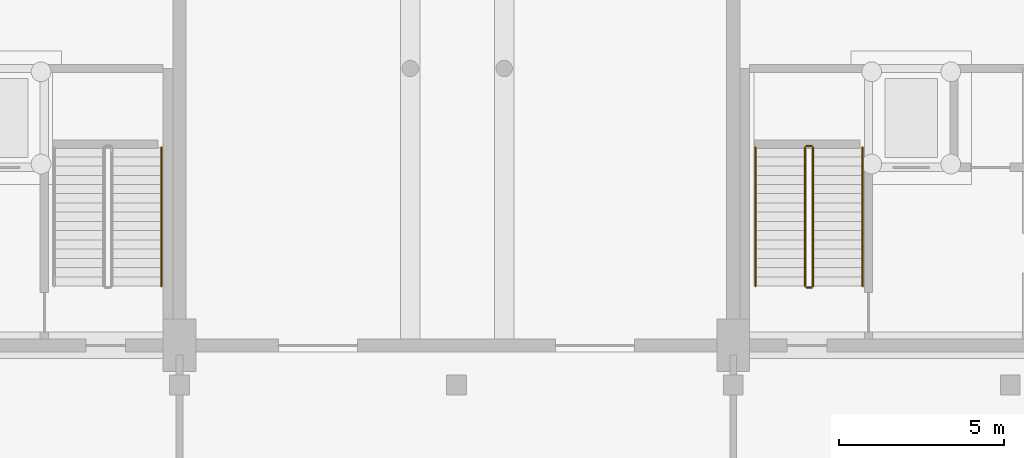
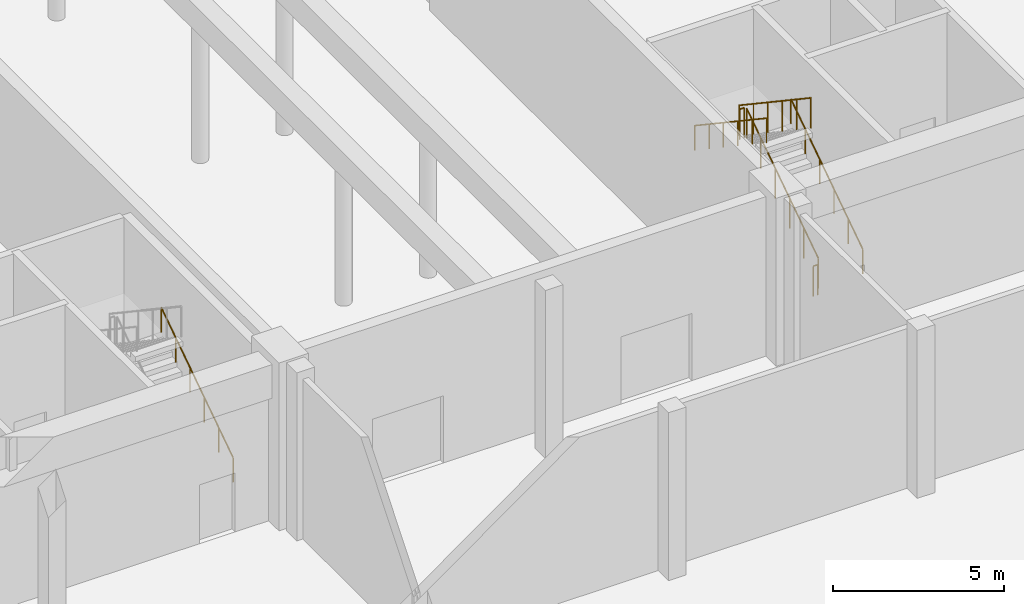
# One storey, part 190 of 210: 7 railings.
"""IFC4 building model written with IfcOpenShell, lengths in metres."""

from ifc_helpers import new_model, si_unit, direction, frame, origin, origin_2d, place, context, subcontext, project, spatial, circle, extrude, material, type_object, element, save


model = new_model("IFC4")

# Units and contexts
model_context = context("Model", 3, precision=1e-05, world=origin(), true_north=direction((0.0, 1.0)))
body_context = subcontext(model_context, "Body", "Model", "MODEL_VIEW")
ifc_project = project(units=[si_unit("LENGTHUNIT", "METRE"), si_unit("AREAUNIT", "SQUARE_METRE"), si_unit("VOLUMEUNIT", "CUBIC_METRE"), si_unit("PLANEANGLEUNIT", "RADIAN"), si_unit("MASSUNIT", "GRAM", prefix="KILO")], contexts=[model_context])

# Site, building, storey
site_placement = place(None, origin())
site = spatial("IfcSite", under=ifc_project, at=site_placement, CompositionType="ELEMENT")
building_placement = place(site_placement, origin())
building = spatial("IfcBuilding", under=site, at=building_placement, Name="Rain Tree Exposition and Congress Centre", CompositionType="ELEMENT")
storey_placement = place(building_placement, origin())
storey = spatial("IfcBuildingStorey", under=building, at=storey_placement, Name="L00", CompositionType="ELEMENT", Elevation=0.0)

# Railings
ifc_material_1 = material(Name="Steel S355J2H", Category="steel")
railing_type_1 = type_object("IfcRailingType", Name="Stair guard 1100", PredefinedType="GUARDRAIL", material=ifc_material_1)
railing_1_placement = place(storey_placement, frame((145.22509765625, 102.60009765625, 0.1875)))
element("IfcRailing", 1, at=railing_1_placement, inside=storey, type_object=railing_type_1, Name="L00 ST-H5 stair guard 1", PredefinedType="GUARDRAIL", context=body_context, shape_type="SweptSolid", body=[
    extrude(circle(Radius=0.02392578125, at=origin_2d()), frame((0.0, 0.0, 1.076171875), z_axis=(0.0, 0.830904186295, 0.556415522067), x_axis=(-1.0, 0.0, 0.0)), (0.0, 0.0, 1.0), 5.0546875),
    extrude(circle(Radius=0.02099609375, at=origin_2d()), origin(), (0.0, 0.0, 1.0), 1.052001953125),
    extrude(circle(Radius=0.02099609375, at=origin_2d()), frame((0.0, 0.840087890625, 0.5625)), (0.0, 0.0, 1.0), 1.052001953125),
    extrude(circle(Radius=0.02099609375, at=origin_2d()), frame((0.0, 1.679931640625, 1.125)), (0.0, 0.0, 1.0), 1.052001953125),
    extrude(circle(Radius=0.02099609375, at=origin_2d()), frame((0.0, 2.52001953125, 1.6875)), (0.0, 0.0, 1.0), 1.052001953125),
    extrude(circle(Radius=0.02099609375, at=origin_2d()), frame((0.0, 3.35986328125, 2.25)), (0.0, 0.0, 1.0), 1.052001953125),
    extrude(circle(Radius=0.02099609375, at=origin_2d()), frame((0.0, 4.199951171875, 2.8125)), (0.0, 0.0, 1.0), 1.052001953125),
])
railing_2_placement = place(storey_placement, frame((145.175048828125, 106.85009765625, 3.0)))
element("IfcRailing", 2, at=railing_2_placement, inside=storey, type_object=railing_type_1, Name="L00 ST-H5 stair guard 2", PredefinedType="GUARDRAIL", context=body_context, shape_type="SweptSolid", body=[
    extrude(circle(Radius=0.02392578125, at=origin_2d()), frame((0.0, 0.0, 1.076171875), z_axis=(-1.0, 0.0, 0.0), x_axis=(0.0, -1.0, 0.0)), (0.0, 0.0, 1.0), 0.150146484375),
    extrude(circle(Radius=0.02099609375, at=origin_2d()), origin(), (0.0, 0.0, 1.0), 1.052001953125),
    extrude(circle(Radius=0.02099609375, at=origin_2d()), frame((-0.150146484375, 0.0, 0.0)), (0.0, 0.0, 1.0), 1.052001953125),
])
railing_3_placement = place(storey_placement, frame((144.97509765625, 106.800048828125, 3.1875)))
element("IfcRailing", 3, at=railing_3_placement, inside=storey, type_object=railing_type_1, Name="L00 ST-H5 stair guard 3", PredefinedType="GUARDRAIL", context=body_context, shape_type="SweptSolid", body=[
    extrude(circle(Radius=0.02392578125, at=origin_2d()), frame((0.0, 0.0, 1.076171875), z_axis=(0.0, -0.830904186295, 0.556415522067), x_axis=(1.0, 0.0, 0.0)), (0.0, 0.0, 1.0), 5.0546875),
    extrude(circle(Radius=0.02099609375, at=origin_2d()), origin(), (0.0, 0.0, 1.0), 1.052001953125),
    extrude(circle(Radius=0.02099609375, at=origin_2d()), frame((0.0, -0.840087890625, 0.5625)), (0.0, 0.0, 1.0), 1.052001953125),
    extrude(circle(Radius=0.02099609375, at=origin_2d()), frame((0.0, -1.679931640625, 1.125)), (0.0, 0.0, 1.0), 1.052001953125),
    extrude(circle(Radius=0.02099609375, at=origin_2d()), frame((0.0, -2.52001953125, 1.6875)), (0.0, 0.0, 1.0), 1.052001953125),
    extrude(circle(Radius=0.02099609375, at=origin_2d()), frame((0.0, -3.35986328125, 2.25)), (0.0, 0.0, 1.0), 1.052001953125),
    extrude(circle(Radius=0.02099609375, at=origin_2d()), frame((0.0, -4.199951171875, 2.8125)), (0.0, 0.0, 1.0), 1.052001953125),
])
railing_4_placement = place(storey_placement, frame((145.175048828125, 102.550048828125, 0.0)))
element("IfcRailing", 4, at=railing_4_placement, inside=storey, type_object=railing_type_1, Name="L00 ST-H5 stair guard 4", PredefinedType="GUARDRAIL", context=body_context, shape_type="SweptSolid", body=[
    extrude(circle(Radius=0.02392578125, at=origin_2d()), frame((0.0, 0.0, 1.076171875), z_axis=(-1.0, 0.0, 0.0), x_axis=(0.0, -1.0, 0.0)), (0.0, 0.0, 1.0), 0.150146484375),
    extrude(circle(Radius=0.02099609375, at=origin_2d()), origin(), (0.0, 0.0, 1.0), 1.052001953125),
    extrude(circle(Radius=0.02099609375, at=origin_2d()), frame((-0.150146484375, 0.0, 0.0)), (0.0, 0.0, 1.0), 1.052001953125),
])
ifc_material_2 = material(Name="Steel S355J2H", Category="steel")
railing_type_2 = type_object("IfcRailingType", Name="Stair handrail 900", PredefinedType="HANDRAIL", material=ifc_material_2)
for number, where, name in (
    (5, (125.449951171875, 102.60009765625, 0.1875), "L00 ST-H2 stair handrail 1"),
    (6, (146.72509765625, 102.60009765625, 0.1875), "L00 ST-H5 stair handrail 1"),
):
    element("IfcRailing", number, at=place(storey_placement, frame(where)), inside=storey, type_object=railing_type_2, Name=name, PredefinedType="HANDRAIL", context=body_context, shape_type="SweptSolid", body=[
        extrude(circle(Radius=0.02392578125, at=origin_2d()), frame((0.0, 0.0, 0.8759765625), z_axis=(0.0, 0.830904186295, 0.556415522067), x_axis=(-1.0, 0.0, 0.0)), (0.0, 0.0, 1.0), 5.0546875),
        extrude(circle(Radius=0.02099609375, at=origin_2d()), origin(), (0.0, 0.0, 1.0), 0.851806640625),
        extrude(circle(Radius=0.02099609375, at=origin_2d()), frame((0.0, 0.840087890625, 0.5625)), (0.0, 0.0, 1.0), 0.851806640625),
        extrude(circle(Radius=0.02099609375, at=origin_2d()), frame((0.0, 1.679931640625, 1.125)), (0.0, 0.0, 1.0), 0.851806640625),
        extrude(circle(Radius=0.02099609375, at=origin_2d()), frame((0.0, 2.52001953125, 1.6875)), (0.0, 0.0, 1.0), 0.851806640625),
        extrude(circle(Radius=0.02099609375, at=origin_2d()), frame((0.0, 3.35986328125, 2.25)), (0.0, 0.0, 1.0), 0.851806640625),
        extrude(circle(Radius=0.02099609375, at=origin_2d()), frame((0.0, 4.199951171875, 2.8125)), (0.0, 0.0, 1.0), 0.851806640625),
    ])
railing_5_placement = place(storey_placement, frame((143.47509765625, 106.800048828125, 3.1875)))
element("IfcRailing", 7, at=railing_5_placement, inside=storey, type_object=railing_type_2, Name="L00 ST-H5 stair handrail 2", PredefinedType="HANDRAIL", context=body_context, shape_type="SweptSolid", body=[
    extrude(circle(Radius=0.02392578125, at=origin_2d()), frame((0.0, 0.0, 0.8759765625), z_axis=(0.0, -0.830904186295, 0.556415522067), x_axis=(1.0, 0.0, 0.0)), (0.0, 0.0, 1.0), 5.0546875),
    extrude(circle(Radius=0.02099609375, at=origin_2d()), origin(), (0.0, 0.0, 1.0), 0.851806640625),
    extrude(circle(Radius=0.02099609375, at=origin_2d()), frame((0.0, -0.840087890625, 0.5625)), (0.0, 0.0, 1.0), 0.851806640625),
    extrude(circle(Radius=0.02099609375, at=origin_2d()), frame((0.0, -1.679931640625, 1.125)), (0.0, 0.0, 1.0), 0.851806640625),
    extrude(circle(Radius=0.02099609375, at=origin_2d()), frame((0.0, -2.52001953125, 1.6875)), (0.0, 0.0, 1.0), 0.851806640625),
    extrude(circle(Radius=0.02099609375, at=origin_2d()), frame((0.0, -3.35986328125, 2.25)), (0.0, 0.0, 1.0), 0.851806640625),
    extrude(circle(Radius=0.02099609375, at=origin_2d()), frame((0.0, -4.199951171875, 2.8125)), (0.0, 0.0, 1.0), 0.851806640625),
])

save(model, "model.ifc")
